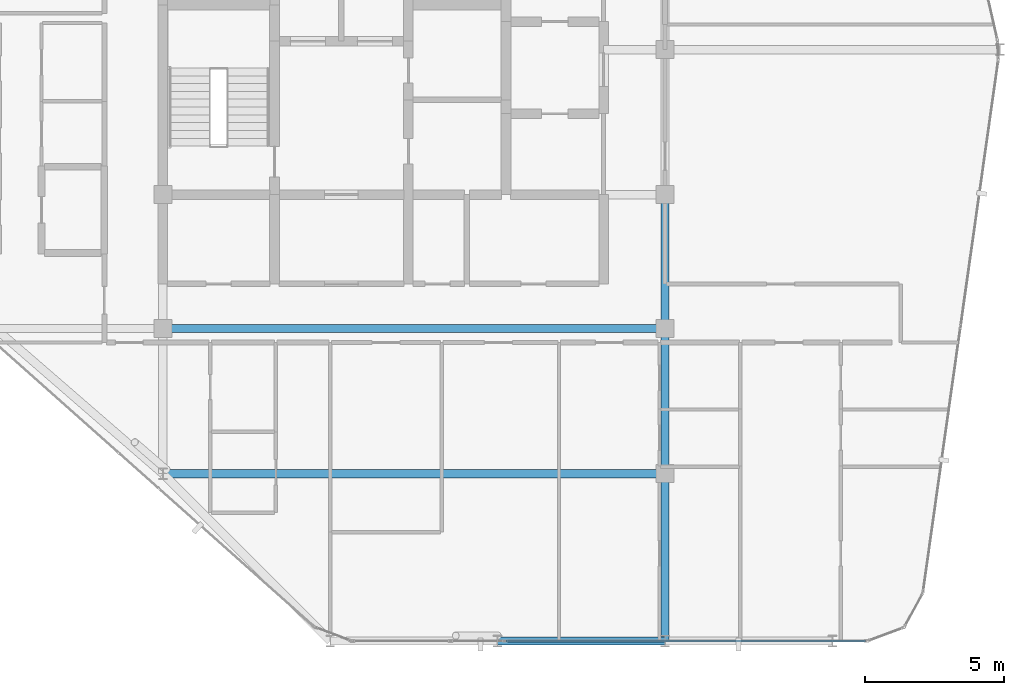
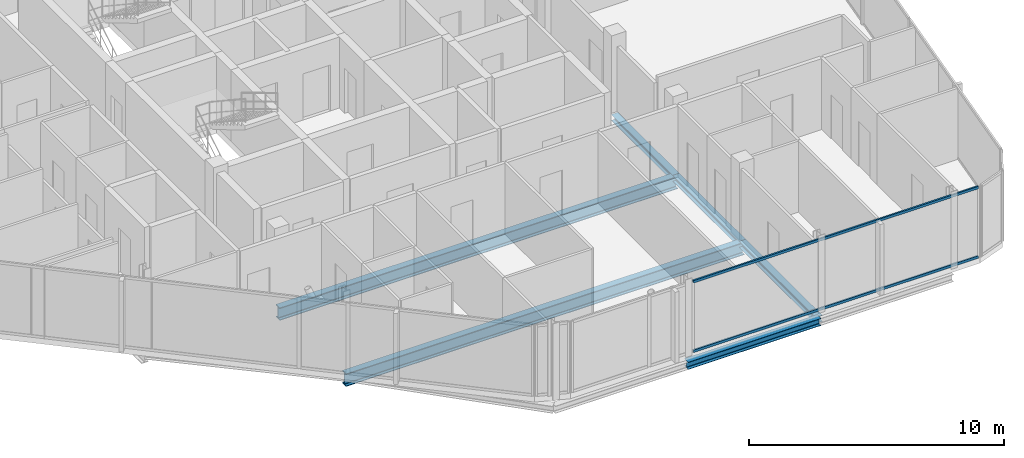
# One storey, part 7 of 28: 6 beams, 2 members, 1 element without a shape of its own.
"""IFC4 building model written with IfcOpenShell, lengths in metres."""

import ifcopenshell
import ifcopenshell.guid

model = None  # the IFC model being written
_history = None  # IfcOwnerHistory: only IFC2X3 demands one
_inside = {}  # id of a spatial element -> (the spatial element, [elements in it])
_under = {}  # id of a project, library or spatial element -> (it, [spatial elements below it])
_declared = {}  # id of a project -> (the project, [libraries it declares])
_typed = {}  # id of a type object -> (the type object, [elements of that type])
_made_of = {}  # id of a material, layer set ... -> (it, [elements and type objects made of it])


def new_model(schema):
    """Start an empty IFC model of exactly this schema.

    Asked for "IFC4X3", IfcOpenShell would pick the latest addendum, in which some entities
    have other attributes; the version numbers below select the first issue.
    IFC2X3 requires an IfcOwnerHistory on every rooted entity: one is made here for all.
    """
    global model, _history
    if schema == "IFC4X3":
        model = ifcopenshell.file(schema_version=(4, 3, 0, 0))
    else:
        model = ifcopenshell.file(schema=schema)
    _inside.clear()
    _under.clear()
    _declared.clear()
    _typed.clear()
    _made_of.clear()
    _history = None
    if model.schema == "IFC2X3":
        org = make("IfcOrganization", Name="unknown")
        user = make(
            "IfcPersonAndOrganization",
            ThePerson=make("IfcPerson", FamilyName="unknown"),
            TheOrganization=org,
        )
        app = make(
            "IfcApplication",
            ApplicationDeveloper=org,
            Version="unknown",
            ApplicationFullName="unknown",
            ApplicationIdentifier="unknown",
        )
        _history = make(
            "IfcOwnerHistory",
            OwningUser=user,
            OwningApplication=app,
            ChangeAction="ADDED",
            CreationDate=0,
        )
    return model


def make(cls, **values):
    """One entity of the class cls with the attributes given. An attribute that is None is left unset."""
    return model.create_entity(
        cls, **{name: value for name, value in values.items() if value is not None}
    )


def rooted(cls, **values):
    """An entity with a GlobalId (a new one), such as an element, a storey or a relation."""
    return make(cls, GlobalId=ifcopenshell.guid.new(), OwnerHistory=_history, **values)


def si_unit(unit_type, name, prefix=None):
    """IfcSIUnit, for example si_unit("LENGTHUNIT", "METRE", prefix="MILLI")."""
    return make("IfcSIUnit", UnitType=unit_type, Prefix=prefix, Name=name)


def assignment(units):
    """IfcUnitAssignment: the units of a project."""
    return None if units is None else make("IfcUnitAssignment", Units=units)


def point(xyz):
    """IfcCartesianPoint."""
    return None if xyz is None else make("IfcCartesianPoint", Coordinates=xyz)


def direction(xyz):
    """IfcDirection."""
    return None if xyz is None else make("IfcDirection", DirectionRatios=xyz)


def frame(location, z_axis=None, x_axis=None):
    """IfcAxis2Placement3D, a coordinate frame: its origin and axes. An axis left out is left unset."""
    return make(
        "IfcAxis2Placement3D",
        Location=point(location),
        Axis=direction(z_axis),
        RefDirection=direction(x_axis),
    )


def frame_2d(location, x_axis=None):
    """IfcAxis2Placement2D, a coordinate frame in the plane: its origin and x axis."""
    return make(
        "IfcAxis2Placement2D", Location=point(location), RefDirection=direction(x_axis)
    )


def origin():
    """The frame at (0, 0, 0) with its axes left unset."""
    return frame((0.0, 0.0, 0.0))


def origin_2d():
    """The frame at (0, 0) in the plane with its x axis left unset."""
    return frame_2d((0.0, 0.0))


def place(relative_to, where):
    """IfcLocalPlacement: puts the frame where relative to a parent placement (None: the world)."""
    return make(
        "IfcLocalPlacement", PlacementRelTo=relative_to, RelativePlacement=where
    )


def context(
    kind, dimensions, precision=None, world=None, true_north=None, identifier=None
):
    """IfcGeometricRepresentationContext, for example the 3D "Model" context."""
    return make(
        "IfcGeometricRepresentationContext",
        ContextIdentifier=identifier,
        ContextType=kind,
        CoordinateSpaceDimension=dimensions,
        Precision=precision,
        WorldCoordinateSystem=world,
        TrueNorth=true_north,
    )


def subcontext(parent, identifier, kind, view, scale=None):
    """IfcGeometricRepresentationSubContext, for example "Body" below "Model"."""
    return make(
        "IfcGeometricRepresentationSubContext",
        ContextIdentifier=identifier,
        ContextType=kind,
        ParentContext=parent,
        TargetScale=scale,
        TargetView=view,
    )


def project(units=None, contexts=None):
    """IfcProject with its units and contexts."""
    return rooted(
        "IfcProject",
        Name="project",
        RepresentationContexts=contexts,
        UnitsInContext=assignment(units),
    )


def spatial(cls, under=None, at=None, **own):
    """A site, building, storey or space (cls), placed at a placement, below another one or the project."""
    s = rooted(cls, ObjectPlacement=at, **own)
    if under is not None:
        _under.setdefault(under.id(), (under, []))[1].append(s)
    return s


def profile(cls, at=None, kind="AREA", **sizes):
    """A parametric profile (cls). Its sizes go by their IFC names, for example OverallWidth=200.0."""
    return make(cls, ProfileType=kind, Position=at, **sizes)


def hollow_rectangle(**sizes):
    """IfcRectangleHollowProfileDef."""
    return profile("IfcRectangleHollowProfileDef", **sizes)


def i_section(**sizes):
    """IfcIShapeProfileDef."""
    return profile("IfcIShapeProfileDef", **sizes)


def extrude(swept, where, along, depth):
    """IfcExtrudedAreaSolid: the profile swept, set in the frame where, extruded along a direction by depth."""
    return make(
        "IfcExtrudedAreaSolid",
        SweptArea=swept,
        Position=where,
        ExtrudedDirection=direction(along),
        Depth=depth,
    )


def shape(context_of_items, identifier, shape_type, items):
    """IfcShapeRepresentation: the items that make up one representation, for example the "Body"."""
    return make(
        "IfcShapeRepresentation",
        ContextOfItems=context_of_items,
        RepresentationIdentifier=identifier,
        RepresentationType=shape_type,
        Items=items,
    )


def material(Name=None, Category=None):
    """IfcMaterial."""
    return make("IfcMaterial", Name=Name, Category=Category)


def layer(
    of_material, thickness, ventilated=None, Name=None, Category=None, Priority=None
):
    """IfcMaterialLayer: one layer of a wall or slab, of a material (None: an air gap)."""
    return make(
        "IfcMaterialLayer",
        Material=of_material,
        LayerThickness=thickness,
        IsVentilated=ventilated,
        Name=Name,
        Category=Category,
        Priority=Priority,
    )


def layer_set(layers, Name=None):
    """IfcMaterialLayerSet."""
    return make("IfcMaterialLayerSet", MaterialLayers=layers, LayerSetName=Name)


def material_profile(
    of_material, cross_section, Name=None, Category=None, Priority=None
):
    """IfcMaterialProfile: a cross section and its material."""
    return make(
        "IfcMaterialProfile",
        Name=Name,
        Material=of_material,
        Profile=cross_section,
        Priority=Priority,
        Category=Category,
    )


def profile_set(profiles, Name=None, composite=None):
    """IfcMaterialProfileSet."""
    return make(
        "IfcMaterialProfileSet",
        Name=Name,
        MaterialProfiles=profiles,
        CompositeProfile=composite,
    )


def made_of(thing, what):
    """Note that an element or type object is made of a material, layer set ...; save() writes the relation."""
    if what is not None:
        _made_of.setdefault(what.id(), (what, []))[1].append(thing)
    return thing


def type_object(cls, material=None, **own):
    """A type object (cls), such as IfcWallType, which elements share."""
    return made_of(rooted(cls, **own), material)


def element(
    cls,
    number,
    at=None,
    inside=None,
    cuts=None,
    type_object=None,
    material=None,
    context=None,
    identifier="Body",
    shape_type=None,
    held_by="IfcProductDefinitionShape",
    body=None,
    shapes=None,
    **own,
):
    """One element of the class cls, such as IfcWall. Its Tag is "e" and its number.

    at: its placement. inside: the storey or other place that contains it. cuts: it is an
    opening in that element (IfcRelVoidsElement). A single representation is given by context,
    identifier, shape_type and body (its items); several are given by shapes. held_by: the class
    of the entity that holds the representations. save() writes the other relations.
    """
    e = rooted(cls, Tag="e%d" % number, ObjectPlacement=at, **own)
    if body is not None:
        shapes = [shape(context, identifier, shape_type, body)]
    if shapes is not None:
        e.Representation = make(held_by, Representations=shapes)
    if inside is not None:
        _inside.setdefault(inside.id(), (inside, []))[1].append(e)
    if cuts is not None:
        rooted(
            "IfcRelVoidsElement", RelatingBuildingElement=cuts, RelatedOpeningElement=e
        )
    if type_object is not None:
        _typed.setdefault(type_object.id(), (type_object, []))[1].append(e)
    return made_of(e, material)


def aggregate(whole, parts):
    """IfcRelAggregates: a whole, such as a stair, and the parts it consists of."""
    return rooted("IfcRelAggregates", RelatingObject=whole, RelatedObjects=parts)


def save(model, path):
    """Write the relations noted so far, then the file.

    IfcRelAggregates (storeys below a building ...), IfcRelContainedInSpatialStructure (elements
    in a storey), IfcRelDefinesByType, IfcRelAssociatesMaterial and IfcRelDeclares: one each for
    every whole, place, type object, material and project.
    """
    for whole, parts in _under.values():
        aggregate(whole, parts)
    for where, things in _inside.values():
        rooted(
            "IfcRelContainedInSpatialStructure",
            RelatedElements=things,
            RelatingStructure=where,
        )
    for kind, things in _typed.values():
        rooted("IfcRelDefinesByType", RelatedObjects=things, RelatingType=kind)
    for what, things in _made_of.values():
        rooted("IfcRelAssociatesMaterial", RelatedObjects=things, RelatingMaterial=what)
    for by, libraries in _declared.values():
        rooted("IfcRelDeclares", RelatingContext=by, RelatedDefinitions=libraries)
    model.write(path)


model = new_model("IFC4")

# Units and contexts
model_context = context("Model", 3, precision=1e-05, world=origin(), true_north=direction((0.0, 1.0)))
body_context = subcontext(model_context, "Body", "Model", "MODEL_VIEW")
ifc_project = project(units=[si_unit("LENGTHUNIT", "METRE"), si_unit("AREAUNIT", "SQUARE_METRE"), si_unit("VOLUMEUNIT", "CUBIC_METRE"), si_unit("PLANEANGLEUNIT", "RADIAN"), si_unit("MASSUNIT", "GRAM", prefix="KILO")], contexts=[model_context])

# Site, building, storey
site_placement = place(None, origin())
site = spatial("IfcSite", under=ifc_project, at=site_placement, CompositionType="ELEMENT")
building_placement = place(site_placement, origin())
building = spatial("IfcBuilding", under=site, at=building_placement, Name="Keshet Zoharim Tower", CompositionType="ELEMENT")
storey_placement = place(building_placement, frame((0.0, 0.0, 303.60009765625)))
storey = spatial("IfcBuildingStorey", under=building, at=storey_placement, Name="L76", CompositionType="ELEMENT", Elevation=303.60009765625)

# Beams
ifc_material_1 = material(Name="Steel S355", Category="steel")
ifc_material_profile_1 = material_profile(ifc_material_1, i_section(OverallWidth=0.300048828125, OverallDepth=0.60009765625, WebThickness=0.015380859375, FlangeThickness=0.030029296875, FilletRadius=0.027099609375, at=origin_2d()), Name="HEB600")
ifc_profile_set_1 = profile_set([ifc_material_profile_1], Name="Steel S355")
beam_type_1 = type_object("IfcBeamType", Name="BM-LNG-HB600", PredefinedType="BEAM", material=ifc_profile_set_1)
for number, where, z_axis, x_axis, name in (
    (1, (15.0, 12.699951171875, -0.610107421875), (1.0, 0.0, 0.0), (0.0, 1.0, 0.0), "L76 Primary Girder X-004"),
    (2, (15.0, 17.89990234375, -0.610107421875), (1.0, 0.0, 0.0), (0.0, 1.0, 0.0), "L76 Primary Girder X-006"),
):
    element("IfcBeam", number, at=place(storey_placement, frame(where, z_axis=z_axis, x_axis=x_axis)), inside=storey, type_object=beam_type_1, Name=name, PredefinedType="BEAM", context=body_context, shape_type="SweptSolid", body=[
        extrude(i_section(OverallWidth=0.300048828125, OverallDepth=0.60009765625, WebThickness=0.015380859375, FlangeThickness=0.030029296875, FilletRadius=0.027099609375, at=origin_2d()), origin(), (0.0, 0.0, 1.0), 18.0),
    ])
ifc_material_profile_2 = material_profile(ifc_material_1, i_section(OverallWidth=0.300048828125, OverallDepth=0.2900390625, WebThickness=0.008544921875, FlangeThickness=0.013916015625, FilletRadius=0.027099609375, at=origin_2d()), Name="HEA300")
ifc_profile_set_2 = profile_set([ifc_material_profile_2], Name="Steel S355")
beam_type_2 = type_object("IfcBeamType", Name="BM-PRI-HA300", PredefinedType="BEAM", material=ifc_profile_set_2)
beam_1_placement = place(storey_placement, frame((33.0, 6.699951171875, -0.455078125), z_axis=(0.0, 1.0, 0.0), x_axis=(-1.0, 0.0, 0.0)))
element("IfcBeam", 3, at=beam_1_placement, inside=storey, type_object=beam_type_2, Name="L76 Primary Girder Y-004", PredefinedType="BEAM", context=body_context, shape_type="SweptSolid", body=[
    extrude(i_section(OverallWidth=0.300048828125, OverallDepth=0.2900390625, WebThickness=0.008544921875, FlangeThickness=0.013916015625, FilletRadius=0.027099609375, at=origin_2d()), origin(), (0.0, 0.0, 1.0), 6.0),
])
beam_2_placement = place(storey_placement, frame((33.0, 12.699951171875, -0.455078125), z_axis=(0.0, 1.0, 0.0), x_axis=(-1.0, 0.0, 0.0)))
element("IfcBeam", 4, at=beam_2_placement, inside=storey, type_object=beam_type_2, Name="L76 Primary Girder Y-005", PredefinedType="BEAM", context=body_context, shape_type="SweptSolid", body=[
    extrude(i_section(OverallWidth=0.300048828125, OverallDepth=0.2900390625, WebThickness=0.008544921875, FlangeThickness=0.013916015625, FilletRadius=0.027099609375, at=origin_2d()), origin(), (0.0, 0.0, 1.0), 5.199951171875),
])
beam_3_placement = place(storey_placement, frame((33.0, 17.89990234375, -0.455078125), z_axis=(0.0, 1.0, 0.0), x_axis=(-1.0, 0.0, 0.0)))
element("IfcBeam", 5, at=beam_3_placement, inside=storey, type_object=beam_type_2, Name="L76 Primary Girder Y-006", PredefinedType="BEAM", context=body_context, shape_type="SweptSolid", body=[
    extrude(i_section(OverallWidth=0.300048828125, OverallDepth=0.2900390625, WebThickness=0.008544921875, FlangeThickness=0.013916015625, FilletRadius=0.027099609375, at=origin_2d()), origin(), (0.0, 0.0, 1.0), 4.800048828125),
])
ifc_material_profile_3 = material_profile(ifc_material_1, i_section(OverallWidth=0.300048828125, OverallDepth=0.35009765625, WebThickness=0.010009765625, FlangeThickness=0.017578125, FilletRadius=0.027099609375, at=origin_2d()), Name="HEA360")
ifc_profile_set_3 = profile_set([ifc_material_profile_3], Name="Steel S355")
beam_type_3 = type_object("IfcBeamType", Name="BM-PRI-HA360", PredefinedType="BEAM", material=ifc_profile_set_3)
beam_4_placement = place(storey_placement, frame((27.0, 6.699951171875, -0.485107421875), z_axis=(1.0, 0.0, 0.0), x_axis=(0.0, 1.0, 0.0)))
element("IfcBeam", 6, at=beam_4_placement, inside=storey, type_object=beam_type_3, Name="L76 Primary Girder X-002", PredefinedType="BEAM", context=body_context, shape_type="SweptSolid", body=[
    extrude(i_section(OverallWidth=0.300048828125, OverallDepth=0.35009765625, WebThickness=0.010009765625, FlangeThickness=0.017578125, FilletRadius=0.027099609375, at=origin_2d()), origin(), (0.0, 0.0, 1.0), 6.0),
])

# Curtain wall, members
ifc_material_2 = material(Name="Aluminium 6063-T6", Category="aluminium")
ifc_layer = layer(ifc_material_2, 0.260009765625)
ifc_layer_set = layer_set([ifc_layer], Name="Aluminium 6063-T6")
curtain_wall_type = type_object("IfcCurtainWallType", Name="CW-SYS-06", PredefinedType="NOTDEFINED", material=ifc_layer_set)
curtain_wall_placement = place(storey_placement, origin())
curtain_wall = element("IfcCurtainWall", 7, at=curtain_wall_placement, inside=storey, type_object=curtain_wall_type, Name="L76 Unitised Curtain Wall 14", PredefinedType="NOTDEFINED")
ifc_material_profile_4 = material_profile(ifc_material_2, hollow_rectangle(XDim=0.074951171875, YDim=0.1201171875, WallThickness=0.00390625, at=origin_2d()), Name="TRN-75x120")
ifc_profile_set_4 = profile_set([ifc_material_profile_4], Name="Aluminium 6063-T6")
member_type = type_object("IfcMemberType", Name="CWT-T12", PredefinedType="USERDEFINED", material=ifc_profile_set_4)
member_1_placement = place(storey_placement, frame((40.193115234375, 6.699951171875, 0.034912109375), z_axis=(-1.0, 0.0, 0.0), x_axis=(0.0, -1.0, 0.0)))
member_1 = element("IfcMember", 8, at=member_1_placement, type_object=member_type, Name="CW-06 transom 1.1", ObjectType="TRANSOM", PredefinedType="USERDEFINED", context=body_context, shape_type="SweptSolid", body=[
    extrude(hollow_rectangle(XDim=0.074951171875, YDim=0.1201171875, WallThickness=0.00390625, at=origin_2d()), origin(), (0.0, 0.0, 1.0), 12.898193359375),
])
member_2_placement = place(storey_placement, frame((40.193115234375, 6.699951171875, 3.35498046875), z_axis=(-1.0, 0.0, 0.0), x_axis=(0.0, -1.0, 0.0)))
member_2 = element("IfcMember", 9, at=member_2_placement, type_object=member_type, Name="CW-06 transom 1.2", ObjectType="TRANSOM", PredefinedType="USERDEFINED", context=body_context, shape_type="SweptSolid", body=[
    extrude(hollow_rectangle(XDim=0.074951171875, YDim=0.1201171875, WallThickness=0.00390625, at=origin_2d()), origin(), (0.0, 0.0, 1.0), 12.898193359375),
])
aggregate(curtain_wall, [member_1, member_2])

save(model, "model.ifc")
